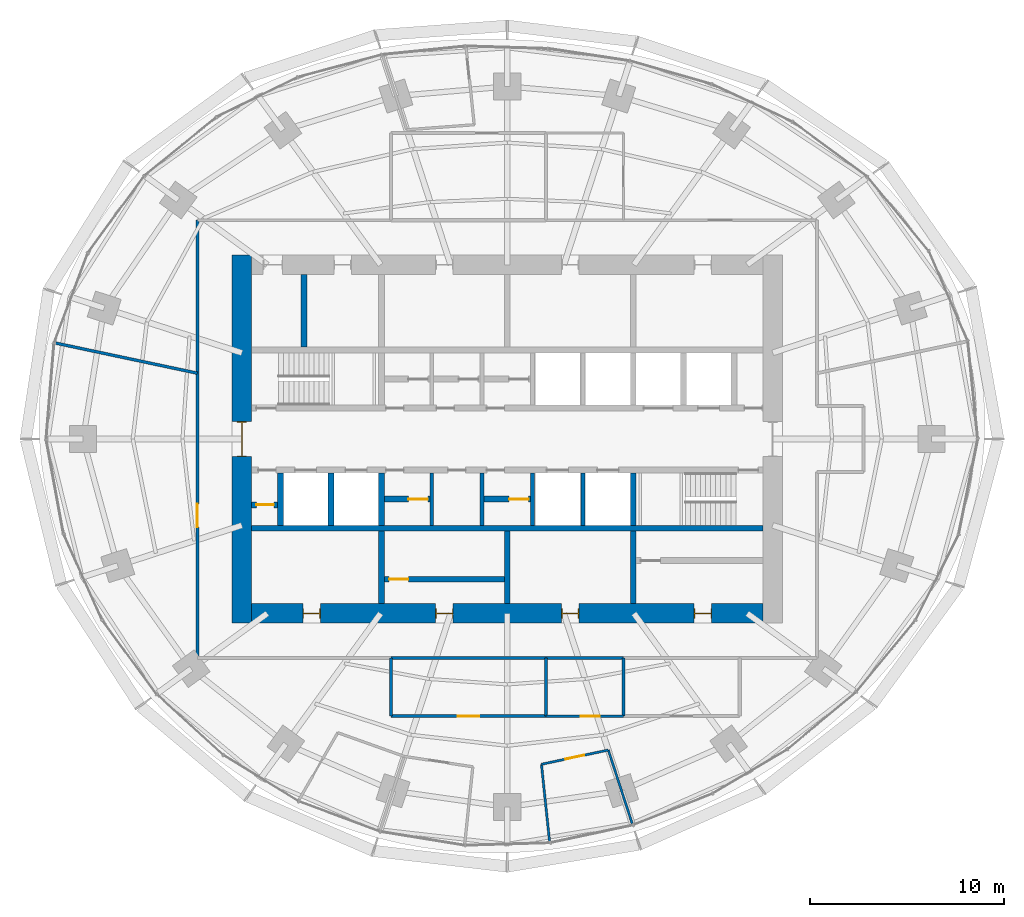
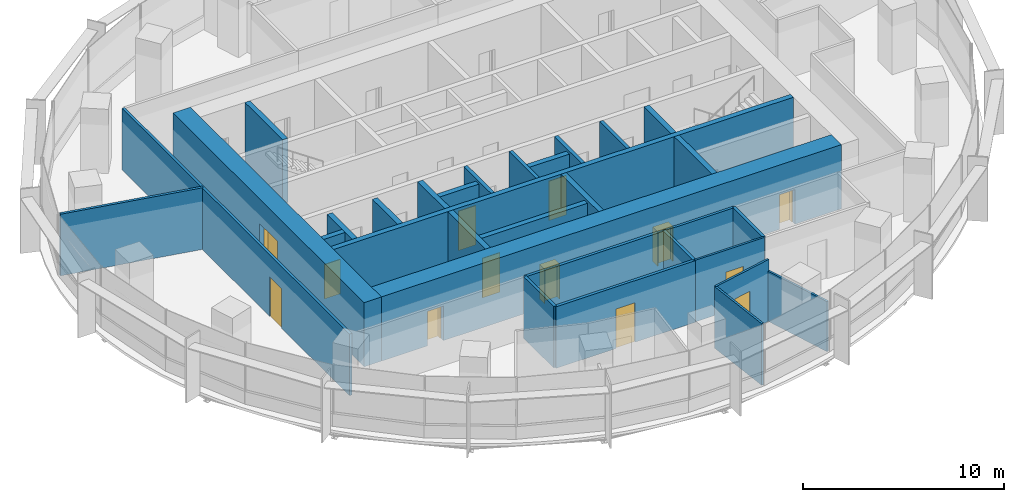
# One storey, part 10 of 15: 31 walls, 13 doors, 13 openings.
"""IFC4 building model written with IfcOpenShell, lengths in metres."""

from ifc_helpers import new_model, si_unit, direction, frame, frame_2d, origin, place, context, subcontext, project, spatial, rectangle, extrude, material, layer, layer_set, type_object, element, fill, save


model = new_model("IFC4")

# Units and contexts
model_context = context("Model", 3, precision=1e-05, world=origin(), true_north=direction((0.0, 1.0)))
body_context = subcontext(model_context, "Body", "Model", "MODEL_VIEW")
ifc_project = project(units=[si_unit("LENGTHUNIT", "METRE"), si_unit("AREAUNIT", "SQUARE_METRE"), si_unit("VOLUMEUNIT", "CUBIC_METRE"), si_unit("PLANEANGLEUNIT", "RADIAN"), si_unit("MASSUNIT", "GRAM", prefix="KILO")], contexts=[model_context])

# Site, building, storey
site_placement = place(None, origin())
site = spatial("IfcSite", under=ifc_project, at=site_placement, CompositionType="ELEMENT")
building_placement = place(site_placement, origin())
building = spatial("IfcBuilding", under=site, at=building_placement, Name="Marramba Exchange Tower", CompositionType="ELEMENT")
storey_placement = place(building_placement, frame((0.0, 0.0, 226.699951171875)))
storey = spatial("IfcBuildingStorey", under=building, at=storey_placement, Name="L55", CompositionType="ELEMENT", Elevation=226.699951171875)

# Walls
ifc_material_1 = material(Name="Plasterboard on staggered double steel studs, acoustic insulation", Category="steel")
ifc_layer_1 = layer(ifc_material_1, 0.169921875)
ifc_layer_set_1 = layer_set([ifc_layer_1], Name="Acoustic partition 170")
wall_type_1 = type_object("IfcWallType", Name="Acoustic partition 170", PredefinedType="PARTITIONING", material=ifc_layer_set_1)
wall_1_placement = place(storey_placement, frame((-6.0, -11.300048828125, 0.0), z_axis=(0.0, 0.0, 1.0), x_axis=(0.0, -1.0, 0.0)))
element("IfcWall", 1, at=wall_1_placement, inside=storey, type_object=wall_type_1, Name="Acoustic partition L55 03", PredefinedType="PARTITIONING", context=body_context, shape_type="SweptSolid", body=[
    extrude(rectangle(XDim=3.0, YDim=0.169921875, at=frame_2d((1.5, 0.0))), origin(), (0.0, 0.0, 1.0), 3.739990234375),
])
wall_2_placement = place(storey_placement, frame((2.0, -11.300048828125, 0.0), z_axis=(0.0, 0.0, 1.0), x_axis=(-1.0, 0.0, 0.0)))
element("IfcWall", 2, at=wall_2_placement, inside=storey, type_object=wall_type_1, Name="Acoustic partition L55 07", PredefinedType="PARTITIONING", context=body_context, shape_type="SweptSolid", body=[
    extrude(rectangle(XDim=8.0, YDim=0.169921875, at=frame_2d((4.0, 0.0))), origin(), (0.0, 0.0, 1.0), 3.739990234375),
])

# Wall, opening, door
wall_3_placement = place(storey_placement, frame((-6.0, -14.300048828125, 0.0), z_axis=(0.0, 0.0, 1.0), x_axis=(1.0, 0.0, 0.0)))
wall_3 = element("IfcWall", 3, at=wall_3_placement, inside=storey, type_object=wall_type_1, Name="Acoustic partition L55 08", PredefinedType="PARTITIONING", context=body_context, shape_type="SweptSolid", body=[
    extrude(rectangle(XDim=8.0, YDim=0.169921875, at=frame_2d((4.0, 0.0))), origin(), (0.0, 0.0, 1.0), 3.739990234375),
])
opening_1_placement = place(wall_3_placement, frame((3.449951171875, 0.0, 0.0)))
opening_1 = element("IfcOpeningElement", 4, at=opening_1_placement, cuts=wall_3, Name="Opening D15", PredefinedType="OPENING", context=body_context, shape_type="SweptSolid", body=[
    extrude(rectangle(XDim=1.10009765625, YDim=2.39990234375, at=frame_2d((0.550048828125, 1.199951171875))), frame((0.0, 0.094970703125, 0.0), z_axis=(0.0, -1.0, 0.0), x_axis=(1.0, 0.0, 0.0)), (0.0, 0.0, 1.0), 0.18994140625),
])
ifc_material_2 = material(Name="Timber door", Category="wood")
door_type_1 = type_object("IfcDoorType", Name="Glazed meeting room door 1100x2400", OperationType="SINGLE_SWING_LEFT", PredefinedType="DOOR", material=ifc_material_2)
door_1_placement = place(opening_1_placement, origin())
door_1 = element("IfcDoor", 5, at=door_1_placement, inside=storey, type_object=door_type_1, Name="D15 Meeting Room 2 L55", OperationType="SINGLE_SWING_RIGHT", OverallHeight=2.39990234375, OverallWidth=1.10009765625, PredefinedType="DOOR", context=body_context, shape_type="SweptSolid", body=[
    extrude(rectangle(XDim=1.10009765625, YDim=2.39990234375, at=frame_2d((0.550048828125, 1.199951171875))), frame((0.0, 0.02490234375, 0.0), z_axis=(0.0, -1.0, 0.0), x_axis=(1.0, 0.0, 0.0)), (0.0, 0.0, 1.0), 0.050048828125),
])
fill(opening_1, door_1)

# Walls
for number, where, z_axis, x_axis, name in (
    (6, (2.0, -11.300048828125, 0.0), (0.0, 0.0, 1.0), (0.0, -1.0, 0.0), "Acoustic partition L55 11"),
    (7, (6.0, -11.300048828125, 0.0), (0.0, 0.0, 1.0), (0.0, -1.0, 0.0), "Acoustic partition L55 16"),
):
    element("IfcWall", number, at=place(storey_placement, frame(where, z_axis=z_axis, x_axis=x_axis)), inside=storey, type_object=wall_type_1, Name=name, PredefinedType="PARTITIONING", context=body_context, shape_type="SweptSolid", body=[
        extrude(rectangle(XDim=3.0, YDim=0.169921875, at=frame_2d((1.5, 0.0))), origin(), (0.0, 0.0, 1.0), 3.739990234375),
    ])
ifc_material_3 = material(Name="Concrete N50", Category="concrete")
ifc_layer_2 = layer(ifc_material_3, 0.199951171875)
ifc_layer_set_2 = layer_set([ifc_layer_2], Name="Core shaft wall 200")
wall_type_2 = type_object("IfcWallType", Name="Core shaft wall 200", PredefinedType="SHEAR", material=ifc_layer_set_2)
for number, where, z_axis, x_axis, name in (
    (8, (-3.89990234375, -1.75, 0.0), (0.0, 0.0, 1.0), (0.0, -1.0, 0.0), "Core wall SHS1 L55"),
    (9, (-1.300048828125, -1.75, 0.0), (0.0, 0.0, 1.0), (0.0, -1.0, 0.0), "Core wall SHS2 L55"),
    (10, (1.300048828125, -1.75, 0.0), (0.0, 0.0, 1.0), (0.0, -1.0, 0.0), "Core wall SHS3 L55"),
    (11, (3.89990234375, -1.75, 0.0), (0.0, 0.0, 1.0), (0.0, -1.0, 0.0), "Core wall SHS4 L55"),
):
    element("IfcWall", number, at=place(storey_placement, frame(where, z_axis=z_axis, x_axis=x_axis)), inside=storey, type_object=wall_type_2, Name=name, PredefinedType="SHEAR", context=body_context, shape_type="SweptSolid", body=[
        extrude(rectangle(XDim=2.699951171875, YDim=0.199951171875, at=frame_2d((1.35009765625, 0.0))), origin(), (0.0, 0.0, 1.0), 3.900146484375),
    ])

# Wall, openings, doors
ifc_layer_3 = layer(ifc_material_3, 1.0)
ifc_layer_set_3 = layer_set([ifc_layer_3], Name="Core wall 1000")
wall_type_3 = type_object("IfcWallType", Name="Core wall 1000", PredefinedType="SHEAR", material=ifc_layer_set_3)
wall_4_placement = place(storey_placement, frame((-13.199951171875, -9.0, 0.0), z_axis=(0.0, 0.0, 1.0), x_axis=(1.0, 0.0, 0.0)))
wall_4 = element("IfcWall", 12, at=wall_4_placement, inside=storey, type_object=wall_type_3, Name="Core wall S L55", PredefinedType="SHEAR", context=body_context, shape_type="SweptSolid", body=[
    extrude(rectangle(XDim=26.39990234375, YDim=1.0, at=frame_2d((13.199951171875, 0.0))), origin(), (0.0, 0.0, 1.0), 3.900146484375),
])
opening_2_placement = place(wall_4_placement, frame((2.64990234375, 0.0, 0.0)))
opening_2 = element("IfcOpeningElement", 13, at=opening_2_placement, cuts=wall_4, Name="Opening D5", PredefinedType="OPENING", context=body_context, shape_type="SweptSolid", body=[
    extrude(rectangle(XDim=0.89990234375, YDim=2.10009765625, at=frame_2d((0.449951171875, 1.050048828125))), frame((0.0, 0.510009765625, 0.0), z_axis=(0.0, -1.0, 0.0), x_axis=(1.0, 0.0, 0.0)), (0.0, 0.0, 1.0), 1.02001953125),
])
opening_3_placement = place(wall_4_placement, frame((9.5, 0.0, 0.0)))
opening_3 = element("IfcOpeningElement", 14, at=opening_3_placement, cuts=wall_4, Name="Opening D5", PredefinedType="OPENING", context=body_context, shape_type="SweptSolid", body=[
    extrude(rectangle(XDim=0.89990234375, YDim=2.10009765625, at=frame_2d((0.449951171875, 1.050048828125))), frame((0.0, 0.510009765625, 0.0), z_axis=(0.0, -1.0, 0.0), x_axis=(1.0, 0.0, 0.0)), (0.0, 0.0, 1.0), 1.02001953125),
])
opening_4_placement = place(wall_4_placement, frame((16.0, 0.0, 0.0)))
opening_4 = element("IfcOpeningElement", 15, at=opening_4_placement, cuts=wall_4, Name="Opening D5", PredefinedType="OPENING", context=body_context, shape_type="SweptSolid", body=[
    extrude(rectangle(XDim=0.89990234375, YDim=2.10009765625, at=frame_2d((0.449951171875, 1.050048828125))), frame((0.0, 0.510009765625, 0.0), z_axis=(0.0, -1.0, 0.0), x_axis=(1.0, 0.0, 0.0)), (0.0, 0.0, 1.0), 1.02001953125),
])
opening_5_placement = place(wall_4_placement, frame((22.85009765625, 0.0, 0.0)))
opening_5 = element("IfcOpeningElement", 16, at=opening_5_placement, cuts=wall_4, Name="Opening D5", PredefinedType="OPENING", context=body_context, shape_type="SweptSolid", body=[
    extrude(rectangle(XDim=0.89990234375, YDim=2.10009765625, at=frame_2d((0.449951171875, 1.050048828125))), frame((0.0, 0.510009765625, 0.0), z_axis=(0.0, -1.0, 0.0), x_axis=(1.0, 0.0, 0.0)), (0.0, 0.0, 1.0), 1.02001953125),
])
ifc_material_4 = material(Name="Steel-framed door", Category="steel")
door_type_2 = type_object("IfcDoorType", Name="Service door 900x2100", OperationType="SINGLE_SWING_LEFT", PredefinedType="DOOR", material=ifc_material_4)
door_2_placement = place(opening_2_placement, origin())
door_2 = element("IfcDoor", 17, at=door_2_placement, inside=storey, type_object=door_type_2, Name="D5 ahu L55", OperationType="SINGLE_SWING_LEFT", OverallHeight=2.10009765625, OverallWidth=0.89990234375, PredefinedType="DOOR", context=body_context, shape_type="SweptSolid", body=[
    extrude(rectangle(XDim=0.81982421875, YDim=2.06005859375, at=frame_2d((0.449951171875, 1.030029296875))), frame((0.0, 0.02490234375, 0.0), z_axis=(0.0, -1.0, 0.0), x_axis=(1.0, 0.0, 0.0)), (0.0, 0.0, 1.0), 0.050048828125),
    extrude(rectangle(XDim=0.04, YDim=2.10009765625, at=frame_2d((0.02001953125, 1.050048828125))), frame((0.0, 0.25, 0.0), z_axis=(0.0, -1.0, 0.0), x_axis=(1.0, 0.0, 0.0)), (0.0, 0.0, 1.0), 0.5),
    extrude(rectangle(XDim=0.04, YDim=2.10009765625, at=frame_2d((0.8798828125, 1.050048828125))), frame((0.0, 0.25, 0.0), z_axis=(0.0, -1.0, 0.0), x_axis=(1.0, 0.0, 0.0)), (0.0, 0.0, 1.0), 0.5),
    extrude(rectangle(XDim=0.81982421875, YDim=0.04, at=frame_2d((0.449951171875, 2.080078125))), frame((0.0, 0.25, 0.0), z_axis=(0.0, -1.0, 0.0), x_axis=(1.0, 0.0, 0.0)), (0.0, 0.0, 1.0), 0.5),
])
fill(opening_2, door_2)
door_3_placement = place(opening_3_placement, origin())
door_3 = element("IfcDoor", 18, at=door_3_placement, inside=storey, type_object=door_type_2, Name="D5 store L55", OperationType="SINGLE_SWING_RIGHT", OverallHeight=2.10009765625, OverallWidth=0.89990234375, PredefinedType="DOOR", context=body_context, shape_type="SweptSolid", body=[
    extrude(rectangle(XDim=0.81982421875, YDim=2.06005859375, at=frame_2d((0.449951171875, 1.030029296875))), frame((0.0, 0.02490234375, 0.0), z_axis=(0.0, -1.0, 0.0), x_axis=(1.0, 0.0, 0.0)), (0.0, 0.0, 1.0), 0.050048828125),
    extrude(rectangle(XDim=0.04, YDim=2.10009765625, at=frame_2d((0.02001953125, 1.050048828125))), frame((0.0, 0.25, 0.0), z_axis=(0.0, -1.0, 0.0), x_axis=(1.0, 0.0, 0.0)), (0.0, 0.0, 1.0), 0.5),
    extrude(rectangle(XDim=0.04, YDim=2.10009765625, at=frame_2d((0.8798828125, 1.050048828125))), frame((0.0, 0.25, 0.0), z_axis=(0.0, -1.0, 0.0), x_axis=(1.0, 0.0, 0.0)), (0.0, 0.0, 1.0), 0.5),
    extrude(rectangle(XDim=0.81982421875, YDim=0.04, at=frame_2d((0.449951171875, 2.080078125))), frame((0.0, 0.25, 0.0), z_axis=(0.0, -1.0, 0.0), x_axis=(1.0, 0.0, 0.0)), (0.0, 0.0, 1.0), 0.5),
])
fill(opening_3, door_3)
door_4_placement = place(opening_4_placement, origin())
door_4 = element("IfcDoor", 19, at=door_4_placement, inside=storey, type_object=door_type_2, Name="D5 switch L55", OperationType="SINGLE_SWING_RIGHT", OverallHeight=2.10009765625, OverallWidth=0.89990234375, PredefinedType="DOOR", context=body_context, shape_type="SweptSolid", body=[
    extrude(rectangle(XDim=0.81982421875, YDim=2.06005859375, at=frame_2d((0.449951171875, 1.030029296875))), frame((0.0, 0.02490234375, 0.0), z_axis=(0.0, -1.0, 0.0), x_axis=(1.0, 0.0, 0.0)), (0.0, 0.0, 1.0), 0.050048828125),
    extrude(rectangle(XDim=0.04, YDim=2.10009765625, at=frame_2d((0.02001953125, 1.050048828125))), frame((0.0, 0.25, 0.0), z_axis=(0.0, -1.0, 0.0), x_axis=(1.0, 0.0, 0.0)), (0.0, 0.0, 1.0), 0.5),
    extrude(rectangle(XDim=0.04, YDim=2.10009765625, at=frame_2d((0.8798828125, 1.050048828125))), frame((0.0, 0.25, 0.0), z_axis=(0.0, -1.0, 0.0), x_axis=(1.0, 0.0, 0.0)), (0.0, 0.0, 1.0), 0.5),
    extrude(rectangle(XDim=0.81982421875, YDim=0.04, at=frame_2d((0.449951171875, 2.080078125))), frame((0.0, 0.25, 0.0), z_axis=(0.0, -1.0, 0.0), x_axis=(1.0, 0.0, 0.0)), (0.0, 0.0, 1.0), 0.5),
])
fill(opening_4, door_4)
door_5_placement = place(opening_5_placement, origin())
door_5 = element("IfcDoor", 20, at=door_5_placement, inside=storey, type_object=door_type_2, Name="D5 cstore L55", OperationType="SINGLE_SWING_RIGHT", OverallHeight=2.10009765625, OverallWidth=0.89990234375, PredefinedType="DOOR", context=body_context, shape_type="SweptSolid", body=[
    extrude(rectangle(XDim=0.81982421875, YDim=2.06005859375, at=frame_2d((0.449951171875, 1.030029296875))), frame((0.0, 0.02490234375, 0.0), z_axis=(0.0, -1.0, 0.0), x_axis=(1.0, 0.0, 0.0)), (0.0, 0.0, 1.0), 0.050048828125),
    extrude(rectangle(XDim=0.04, YDim=2.10009765625, at=frame_2d((0.02001953125, 1.050048828125))), frame((0.0, 0.25, 0.0), z_axis=(0.0, -1.0, 0.0), x_axis=(1.0, 0.0, 0.0)), (0.0, 0.0, 1.0), 0.5),
    extrude(rectangle(XDim=0.04, YDim=2.10009765625, at=frame_2d((0.8798828125, 1.050048828125))), frame((0.0, 0.25, 0.0), z_axis=(0.0, -1.0, 0.0), x_axis=(1.0, 0.0, 0.0)), (0.0, 0.0, 1.0), 0.5),
    extrude(rectangle(XDim=0.81982421875, YDim=0.04, at=frame_2d((0.449951171875, 2.080078125))), frame((0.0, 0.25, 0.0), z_axis=(0.0, -1.0, 0.0), x_axis=(1.0, 0.0, 0.0)), (0.0, 0.0, 1.0), 0.5),
])
fill(opening_5, door_5)

# Wall, opening, door
wall_5_placement = place(storey_placement, frame((-13.699951171875, 9.5, 0.0), z_axis=(0.0, 0.0, 1.0), x_axis=(0.0, -1.0, 0.0)))
wall_5 = element("IfcWall", 21, at=wall_5_placement, inside=storey, type_object=wall_type_3, Name="Core wall W L55", PredefinedType="SHEAR", context=body_context, shape_type="SweptSolid", body=[
    extrude(rectangle(XDim=19.0, YDim=1.0, at=frame_2d((9.5, 0.0))), origin(), (0.0, 0.0, 1.0), 3.900146484375),
])
opening_6_placement = place(wall_5_placement, frame((8.60009765625, 0.0, 0.0)))
opening_6 = element("IfcOpeningElement", 22, at=opening_6_placement, cuts=wall_5, Name="Opening D1", PredefinedType="OPENING", context=body_context, shape_type="SweptSolid", body=[
    extrude(rectangle(XDim=1.800048828125, YDim=2.39990234375, at=frame_2d((0.89990234375, 1.199951171875))), frame((0.0, 0.510009765625, 0.0), z_axis=(0.0, -1.0, 0.0), x_axis=(1.0, 0.0, 0.0)), (0.0, 0.0, 1.0), 1.02001953125),
])
door_type_3 = type_object("IfcDoorType", Name="Lobby exit door 1800x2400", OperationType="DOUBLE_DOOR_SINGLE_SWING", PredefinedType="DOOR", material=ifc_material_4)
door_6_placement = place(opening_6_placement, origin())
door_6 = element("IfcDoor", 23, at=door_6_placement, inside=storey, type_object=door_type_3, Name="D1 lobby exit west L55", OperationType="DOUBLE_DOOR_SINGLE_SWING", OverallHeight=2.39990234375, OverallWidth=1.800048828125, PredefinedType="DOOR", context=body_context, shape_type="SweptSolid", body=[
    extrude(rectangle(XDim=1.719970703125, YDim=2.35986328125, at=frame_2d((0.89990234375, 1.179931640625))), frame((0.0, 0.02490234375, 0.0), z_axis=(0.0, -1.0, 0.0), x_axis=(1.0, 0.0, 0.0)), (0.0, 0.0, 1.0), 0.050048828125),
    extrude(rectangle(XDim=0.04, YDim=2.39990234375, at=frame_2d((0.02001953125, 1.199951171875))), frame((0.0, 0.25, 0.0), z_axis=(0.0, -1.0, 0.0), x_axis=(1.0, 0.0, 0.0)), (0.0, 0.0, 1.0), 0.5),
    extrude(rectangle(XDim=0.04, YDim=2.39990234375, at=frame_2d((1.780029296875, 1.199951171875))), frame((0.0, 0.25, 0.0), z_axis=(0.0, -1.0, 0.0), x_axis=(1.0, 0.0, 0.0)), (0.0, 0.0, 1.0), 0.5),
    extrude(rectangle(XDim=1.719970703125, YDim=0.04, at=frame_2d((0.89990234375, 2.3798828125))), frame((0.0, 0.25, 0.0), z_axis=(0.0, -1.0, 0.0), x_axis=(1.0, 0.0, 0.0)), (0.0, 0.0, 1.0), 0.5),
])
fill(opening_6, door_6)

# Walls
ifc_layer_4 = layer(ifc_material_3, 0.300048828125)
ifc_layer_set_4 = layer_set([ifc_layer_4], Name="Core wall 300")
wall_type_4 = type_object("IfcWallType", Name="Core wall 300", PredefinedType="SHEAR", material=ifc_layer_set_4)
wall_6_placement = place(storey_placement, frame((-13.199951171875, -4.60009765625, 0.0), z_axis=(0.0, 0.0, 1.0), x_axis=(1.0, 0.0, 0.0)))
element("IfcWall", 24, at=wall_6_placement, inside=storey, type_object=wall_type_4, Name="Core wall BS L55", PredefinedType="SHEAR", context=body_context, shape_type="SweptSolid", body=[
    extrude(rectangle(XDim=26.39990234375, YDim=0.300048828125, at=frame_2d((13.199951171875, 0.0))), origin(), (0.0, 0.0, 1.0), 3.900146484375),
])
wall_7_placement = place(storey_placement, frame((-6.5, -1.75, 0.0), z_axis=(0.0, 0.0, 1.0), x_axis=(0.0, -1.0, 0.0)))
element("IfcWall", 25, at=wall_7_placement, inside=storey, type_object=wall_type_4, Name="Core wall X0Sa L55", PredefinedType="SHEAR", context=body_context, shape_type="SweptSolid", body=[
    extrude(rectangle(XDim=2.699951171875, YDim=0.300048828125, at=frame_2d((1.35009765625, 0.0))), origin(), (0.0, 0.0, 1.0), 3.900146484375),
])
wall_8_placement = place(storey_placement, frame((-6.5, -4.75, 0.0), z_axis=(0.0, 0.0, 1.0), x_axis=(0.0, -1.0, 0.0)))
element("IfcWall", 26, at=wall_8_placement, inside=storey, type_object=wall_type_4, Name="Core wall X0Sb L55", PredefinedType="SHEAR", context=body_context, shape_type="SweptSolid", body=[
    extrude(rectangle(XDim=3.75, YDim=0.300048828125, at=frame_2d((1.875, 0.0))), origin(), (0.0, 0.0, 1.0), 3.900146484375),
])
wall_9_placement = place(storey_placement, frame((6.5, -1.75, 0.0), z_axis=(0.0, 0.0, 1.0), x_axis=(0.0, -1.0, 0.0)))
element("IfcWall", 27, at=wall_9_placement, inside=storey, type_object=wall_type_4, Name="Core wall X1Sa L55", PredefinedType="SHEAR", context=body_context, shape_type="SweptSolid", body=[
    extrude(rectangle(XDim=2.699951171875, YDim=0.300048828125, at=frame_2d((1.35009765625, 0.0))), origin(), (0.0, 0.0, 1.0), 3.900146484375),
])
for number, where, z_axis, x_axis, name in (
    (28, (6.5, -4.75, 0.0), (0.0, 0.0, 1.0), (0.0, -1.0, 0.0), "Core wall X1Sb L55"),
    (29, (0.0, -4.75, 0.0), (0.0, 0.0, 1.0), (0.0, -1.0, 0.0), "Core wall MS L55"),
    (30, (-10.5, 4.75, 0.0), (0.0, 0.0, 1.0), (0.0, 1.0, 0.0), "Core wall WD L55"),
):
    element("IfcWall", number, at=place(storey_placement, frame(where, z_axis=z_axis, x_axis=x_axis)), inside=storey, type_object=wall_type_4, Name=name, PredefinedType="SHEAR", context=body_context, shape_type="SweptSolid", body=[
        extrude(rectangle(XDim=3.75, YDim=0.300048828125, at=frame_2d((1.875, 0.0))), origin(), (0.0, 0.0, 1.0), 3.900146484375),
    ])
ifc_material_5 = material(Name="Core-filled concrete blockwork", Category="masonry")
ifc_layer_5 = layer(ifc_material_5, 0.300048828125)
ifc_layer_set_5 = layer_set([ifc_layer_5], Name="Lift shaft wall 300")
wall_type_5 = type_object("IfcWallType", Name="Lift shaft wall 300", PredefinedType="SOLIDWALL", material=ifc_layer_set_5)
for number, where, z_axis, x_axis, name in (
    (31, (-9.10009765625, -1.75, 0.0), (0.0, 0.0, 1.0), (0.0, -1.0, 0.0), "Lift shaft wall W1 L55"),
    (32, (-11.699951171875, -1.75, 0.0), (0.0, 0.0, 1.0), (0.0, -1.0, 0.0), "Lift shaft wall W2 L55"),
):
    element("IfcWall", number, at=place(storey_placement, frame(where, z_axis=z_axis, x_axis=x_axis)), inside=storey, type_object=wall_type_5, Name=name, PredefinedType="SOLIDWALL", context=body_context, shape_type="SweptSolid", body=[
        extrude(rectangle(XDim=2.699951171875, YDim=0.300048828125, at=frame_2d((1.35009765625, 0.0))), origin(), (0.0, 0.0, 1.0), 3.739990234375),
    ])
ifc_material_6 = material(Name="Plasterboard on steel studs", Category="steel")
ifc_layer_6 = layer(ifc_material_6, 0.1201171875)
ifc_layer_set_6 = layer_set([ifc_layer_6], Name="Partition 120")
wall_type_6 = type_object("IfcWallType", Name="Partition 120", PredefinedType="PARTITIONING", material=ifc_layer_set_6)
wall_10_placement = place(storey_placement, frame((1.7646484375, -16.788818359375, 0.0), z_axis=(0.0, 0.0, 1.0), x_axis=(0.104494148666, -0.99452550138, 0.0)))
element("IfcWall", 33, at=wall_10_placement, inside=storey, type_object=wall_type_6, Name="Partition L55 10", PredefinedType="PARTITIONING", context=body_context, shape_type="SweptSolid", body=[
    extrude(rectangle(XDim=4.0, YDim=0.1201171875, at=frame_2d((2.0, 0.0))), origin(), (0.0, 0.0, 1.0), 3.739990234375),
])

# Wall, opening, door
wall_11_placement = place(storey_placement, frame((5.216064453125, -16.05322265625, 0.0), z_axis=(0.0, 0.0, 1.0), x_axis=(-0.978033661385, -0.208447012927, 0.0)))
wall_11 = element("IfcWall", 34, at=wall_11_placement, inside=storey, type_object=wall_type_6, Name="Partition L55 12", PredefinedType="PARTITIONING", context=body_context, shape_type="SweptSolid", body=[
    extrude(rectangle(XDim=3.529052734375, YDim=0.1201171875, at=frame_2d((1.7646484375, 0.0))), origin(), (0.0, 0.0, 1.0), 3.739990234375),
])
opening_7_placement = place(wall_11_placement, frame((1.263916015625, 0.0, 0.0)))
opening_7 = element("IfcOpeningElement", 35, at=opening_7_placement, cuts=wall_11, Name="Opening D9", PredefinedType="OPENING", context=body_context, shape_type="SweptSolid", body=[
    extrude(rectangle(XDim=1.0, YDim=2.39990234375, at=frame_2d((0.5, 1.199951171875))), frame((0.0, 0.070068359375, 0.0), z_axis=(0.0, -1.0, 0.0), x_axis=(1.0, 0.0, 0.0)), (0.0, 0.0, 1.0), 0.14013671875),
])
door_type_4 = type_object("IfcDoorType", Name="Room door 1000x2400", OperationType="SINGLE_SWING_LEFT", PredefinedType="DOOR", material=ifc_material_2)
door_7_placement = place(opening_7_placement, origin())
door_7 = element("IfcDoor", 36, at=door_7_placement, inside=storey, type_object=door_type_4, Name="D9 Office 3 L55", OperationType="SINGLE_SWING_RIGHT", OverallHeight=2.39990234375, OverallWidth=1.0, PredefinedType="DOOR", context=body_context, shape_type="SweptSolid", body=[
    extrude(rectangle(XDim=1.0, YDim=2.39990234375, at=frame_2d((0.5, 1.199951171875))), frame((0.0, 0.02490234375, 0.0), z_axis=(0.0, -1.0, 0.0), x_axis=(1.0, 0.0, 0.0)), (0.0, 0.0, 1.0), 0.050048828125),
])
fill(opening_7, door_7)

wall_12_placement = place(storey_placement, frame((2.0, -14.300048828125, 0.0), z_axis=(0.0, 0.0, 1.0), x_axis=(1.0, 0.0, 0.0)))
wall_12 = element("IfcWall", 37, at=wall_12_placement, inside=storey, type_object=wall_type_6, Name="Partition L55 13", PredefinedType="PARTITIONING", context=body_context, shape_type="SweptSolid", body=[
    extrude(rectangle(XDim=4.0, YDim=0.1201171875, at=frame_2d((2.0, 0.0))), origin(), (0.0, 0.0, 1.0), 3.739990234375),
])
opening_8_placement = place(wall_12_placement, frame((1.781005859375, 0.0, 0.0)))
opening_8 = element("IfcOpeningElement", 38, at=opening_8_placement, cuts=wall_12, Name="Opening D9", PredefinedType="OPENING", context=body_context, shape_type="SweptSolid", body=[
    extrude(rectangle(XDim=1.0, YDim=2.39990234375, at=frame_2d((0.5, 1.199951171875))), frame((0.0, 0.070068359375, 0.0), z_axis=(0.0, -1.0, 0.0), x_axis=(1.0, 0.0, 0.0)), (0.0, 0.0, 1.0), 0.14013671875),
])
door_8_placement = place(opening_8_placement, origin())
door_8 = element("IfcDoor", 39, at=door_8_placement, inside=storey, type_object=door_type_4, Name="D9 Pantry 2 L55", OperationType="SINGLE_SWING_RIGHT", OverallHeight=2.39990234375, OverallWidth=1.0, PredefinedType="DOOR", context=body_context, shape_type="SweptSolid", body=[
    extrude(rectangle(XDim=1.0, YDim=2.39990234375, at=frame_2d((0.5, 1.199951171875))), frame((0.0, 0.02490234375, 0.0), z_axis=(0.0, -1.0, 0.0), x_axis=(1.0, 0.0, 0.0)), (0.0, 0.0, 1.0), 0.050048828125),
])
fill(opening_8, door_8)

# Wall
wall_13_placement = place(storey_placement, frame((6.4521484375, -19.857421875, 0.0), z_axis=(0.0, 0.0, 1.0), x_axis=(-0.309022586479, 0.951054699292, 0.0)))
element("IfcWall", 40, at=wall_13_placement, inside=storey, type_object=wall_type_6, Name="Partition L55 14", PredefinedType="PARTITIONING", context=body_context, shape_type="SweptSolid", body=[
    extrude(rectangle(XDim=4.0, YDim=0.1201171875, at=frame_2d((2.0, 0.0))), origin(), (0.0, 0.0, 1.0), 3.0400390625),
])

# Wall, opening, door
ifc_layer_7 = layer(ifc_material_5, 0.300048828125)
ifc_layer_set_7 = layer_set([ifc_layer_7], Name="Riser enclosure wall 300")
wall_type_7 = type_object("IfcWallType", Name="Riser enclosure wall 300", PredefinedType="SOLIDWALL", material=ifc_layer_set_7)
wall_14_placement = place(storey_placement, frame((-13.199951171875, -3.39990234375, 0.0), z_axis=(0.0, 0.0, 1.0), x_axis=(1.0, 0.0, 0.0)))
wall_14 = element("IfcWall", 41, at=wall_14_placement, inside=storey, type_object=wall_type_7, Name="Riser enclosure wall L55", PredefinedType="SOLIDWALL", context=body_context, shape_type="SweptSolid", body=[
    extrude(rectangle(XDim=1.349853515625, YDim=0.300048828125, at=frame_2d((0.6748046875, 0.0))), origin(), (0.0, 0.0, 1.0), 3.739990234375),
])
opening_9_placement = place(wall_14_placement, frame((0.25, 0.0, 0.0)))
opening_9 = element("IfcOpeningElement", 42, at=opening_9_placement, cuts=wall_14, Name="Opening D5", PredefinedType="OPENING", context=body_context, shape_type="SweptSolid", body=[
    extrude(rectangle(XDim=0.89990234375, YDim=2.10009765625, at=frame_2d((0.449951171875, 1.050048828125))), frame((0.0, 0.159912109375, 0.0), z_axis=(0.0, -1.0, 0.0), x_axis=(1.0, 0.0, 0.0)), (0.0, 0.0, 1.0), 0.320068359375),
])
door_9_placement = place(opening_9_placement, frame((0.89990234375, 0.0, 0.0), z_axis=(0.0, 0.0, 1.0), x_axis=(-1.0, 0.0, 0.0)))
door_9 = element("IfcDoor", 43, at=door_9_placement, inside=storey, type_object=door_type_2, Name="D5 electrical riser back L55", OperationType="SINGLE_SWING_LEFT", OverallHeight=2.10009765625, OverallWidth=0.89990234375, PredefinedType="DOOR", context=body_context, shape_type="SweptSolid", body=[
    extrude(rectangle(XDim=0.89990234375, YDim=2.10009765625, at=frame_2d((0.449951171875, 1.050048828125))), frame((0.0, 0.025146484375, 0.0), z_axis=(0.0, -1.0, 0.0), x_axis=(1.0, 0.0, 0.0)), (0.0, 0.0, 1.0), 0.050048828125),
])
fill(opening_9, door_9)

ifc_material_7 = material(Name="Plasterboard on steel studs, insulated, unrated", Category="steel")
ifc_layer_8 = layer(ifc_material_7, 0.300048828125)
ifc_layer_set_8 = layer_set([ifc_layer_8], Name="Store partition 300")
wall_type_8 = type_object("IfcWallType", Name="Store partition 300", PredefinedType="PARTITIONING", material=ifc_layer_set_8)
wall_15_placement = place(storey_placement, frame((-6.35009765625, -3.10009765625, 0.0), z_axis=(0.0, 0.0, 1.0), x_axis=(1.0, 0.0, 0.0)))
wall_15 = element("IfcWall", 44, at=wall_15_placement, inside=storey, type_object=wall_type_8, Name="Store partition L55 S1", PredefinedType="PARTITIONING", context=body_context, shape_type="SweptSolid", body=[
    extrude(rectangle(XDim=2.35009765625, YDim=0.300048828125, at=frame_2d((1.175048828125, 0.0))), origin(), (0.0, 0.0, 1.0), 3.739990234375),
])
opening_10_placement = place(wall_15_placement, frame((1.25, 0.0, 0.0)))
opening_10 = element("IfcOpeningElement", 45, at=opening_10_placement, cuts=wall_15, Name="Opening D9", PredefinedType="OPENING", context=body_context, shape_type="SweptSolid", body=[
    extrude(rectangle(XDim=1.0, YDim=2.39990234375, at=frame_2d((0.5, 1.199951171875))), frame((0.0, 0.159912109375, 0.0), z_axis=(0.0, -1.0, 0.0), x_axis=(1.0, 0.0, 0.0)), (0.0, 0.0, 1.0), 0.320068359375),
])
door_10_placement = place(opening_10_placement, origin())
door_10 = element("IfcDoor", 46, at=door_10_placement, inside=storey, type_object=door_type_4, Name="D9 store room S1 L55", OperationType="SINGLE_SWING_RIGHT", OverallHeight=2.39990234375, OverallWidth=1.0, PredefinedType="DOOR", context=body_context, shape_type="SweptSolid", body=[
    extrude(rectangle(XDim=1.0, YDim=2.39990234375, at=frame_2d((0.5, 1.199951171875))), frame((0.0, 0.02490234375, 0.0), z_axis=(0.0, -1.0, 0.0), x_axis=(1.0, 0.0, 0.0)), (0.0, 0.0, 1.0), 0.050048828125),
])
fill(opening_10, door_10)

wall_16_placement = place(storey_placement, frame((-1.199951171875, -3.10009765625, 0.0), z_axis=(0.0, 0.0, 1.0), x_axis=(1.0, 0.0, 0.0)))
wall_16 = element("IfcWall", 47, at=wall_16_placement, inside=storey, type_object=wall_type_8, Name="Store partition L55 S3", PredefinedType="PARTITIONING", context=body_context, shape_type="SweptSolid", body=[
    extrude(rectangle(XDim=2.39990234375, YDim=0.300048828125, at=frame_2d((1.199951171875, 0.0))), origin(), (0.0, 0.0, 1.0), 3.739990234375),
])
opening_11_placement = place(wall_16_placement, frame((1.300048828125, 0.0, 0.0)))
opening_11 = element("IfcOpeningElement", 48, at=opening_11_placement, cuts=wall_16, Name="Opening D9", PredefinedType="OPENING", context=body_context, shape_type="SweptSolid", body=[
    extrude(rectangle(XDim=1.0, YDim=2.39990234375, at=frame_2d((0.5, 1.199951171875))), frame((0.0, 0.159912109375, 0.0), z_axis=(0.0, -1.0, 0.0), x_axis=(1.0, 0.0, 0.0)), (0.0, 0.0, 1.0), 0.320068359375),
])
door_11_placement = place(opening_11_placement, origin())
door_11 = element("IfcDoor", 49, at=door_11_placement, inside=storey, type_object=door_type_4, Name="D9 store room S3 L55", OperationType="SINGLE_SWING_RIGHT", OverallHeight=2.39990234375, OverallWidth=1.0, PredefinedType="DOOR", context=body_context, shape_type="SweptSolid", body=[
    extrude(rectangle(XDim=1.0, YDim=2.39990234375, at=frame_2d((0.5, 1.199951171875))), frame((0.0, 0.02490234375, 0.0), z_axis=(0.0, -1.0, 0.0), x_axis=(1.0, 0.0, 0.0)), (0.0, 0.0, 1.0), 0.050048828125),
])
fill(opening_11, door_11)

wall_17_placement = place(storey_placement, frame((-6.35009765625, -7.239990234375, 0.0), z_axis=(0.0, 0.0, 1.0), x_axis=(1.0, 0.0, 0.0)))
wall_17 = element("IfcWall", 50, at=wall_17_placement, inside=storey, type_object=wall_type_8, Name="Store partition L55 store", PredefinedType="PARTITIONING", context=body_context, shape_type="SweptSolid", body=[
    extrude(rectangle(XDim=6.2001953125, YDim=0.300048828125, at=frame_2d((3.10009765625, 0.0))), origin(), (0.0, 0.0, 1.0), 3.739990234375),
])
opening_12_placement = place(wall_17_placement, frame((0.25, 0.0, 0.0)))
opening_12 = element("IfcOpeningElement", 51, at=opening_12_placement, cuts=wall_17, Name="Opening D9", PredefinedType="OPENING", context=body_context, shape_type="SweptSolid", body=[
    extrude(rectangle(XDim=1.0, YDim=2.39990234375, at=frame_2d((0.5, 1.199951171875))), frame((0.0, 0.159912109375, 0.0), z_axis=(0.0, -1.0, 0.0), x_axis=(1.0, 0.0, 0.0)), (0.0, 0.0, 1.0), 0.320068359375),
])
door_12_placement = place(opening_12_placement, frame((1.0, 0.0, 0.0), z_axis=(0.0, 0.0, 1.0), x_axis=(-1.0, 0.0, 0.0)))
door_12 = element("IfcDoor", 52, at=door_12_placement, inside=storey, type_object=door_type_4, Name="D9 stationery store L55", OperationType="SINGLE_SWING_RIGHT", OverallHeight=2.39990234375, OverallWidth=1.0, PredefinedType="DOOR", context=body_context, shape_type="SweptSolid", body=[
    extrude(rectangle(XDim=1.0, YDim=2.39990234375, at=frame_2d((0.5, 1.199951171875))), frame((0.0, 0.025146484375, 0.0), z_axis=(0.0, -1.0, 0.0), x_axis=(1.0, 0.0, 0.0)), (0.0, 0.0, 1.0), 0.050048828125),
])
fill(opening_12, door_12)

# Walls
ifc_material_8 = material(Name="Fire-rated plasterboard on steel studs, acoustic insulation", Category="steel")
ifc_layer_9 = layer(ifc_material_8, 0.14990234375)
ifc_layer_set_9 = layer_set([ifc_layer_9], Name="Tenancy wall 150")
wall_type_9 = type_object("IfcWallType", Name="Tenancy wall 150", PredefinedType="PARTITIONING", material=ifc_layer_set_9)
wall_18_placement = place(storey_placement, frame((6.0, -11.300048828125, 0.0), z_axis=(0.0, 0.0, 1.0), x_axis=(-1.0, 0.0, 0.0)))
element("IfcWall", 53, at=wall_18_placement, inside=storey, type_object=wall_type_9, Name="Tenancy wall L55 15", PredefinedType="PARTITIONING", context=body_context, shape_type="SweptSolid", body=[
    extrude(rectangle(XDim=4.0, YDim=0.14990234375, at=frame_2d((2.0, 0.0))), origin(), (0.0, 0.0, 1.0), 3.739990234375),
])
wall_19_placement = place(storey_placement, frame((-16.0, 3.40087890625, 0.0), z_axis=(0.0, 0.0, 1.0), x_axis=(-0.978144499125, 0.207926282204, 0.0)))
element("IfcWall", 54, at=wall_19_placement, inside=storey, type_object=wall_type_9, Name="Tenancy wall L55 38", PredefinedType="PARTITIONING", context=body_context, shape_type="SweptSolid", body=[
    extrude(rectangle(XDim=7.480712890625, YDim=0.14990234375, at=frame_2d((3.740234375, 0.0))), origin(), (0.0, 0.0, 1.0), 3.739990234375),
])

# Wall, opening, door
wall_20_placement = place(storey_placement, frame((-16.0, 11.300048828125, 0.0), z_axis=(0.0, 0.0, 1.0), x_axis=(0.0, -1.0, 0.0)))
wall_20 = element("IfcWall", 55, at=wall_20_placement, inside=storey, type_object=wall_type_9, Name="Tenancy wall L55 39", PredefinedType="PARTITIONING", context=body_context, shape_type="SweptSolid", body=[
    extrude(rectangle(XDim=22.60009765625, YDim=0.14990234375, at=frame_2d((11.300048828125, 0.0))), origin(), (0.0, 0.0, 1.0), 3.739990234375),
])
opening_13_placement = place(wall_20_placement, frame((14.64990234375, 0.0, 0.0)))
opening_13 = element("IfcOpeningElement", 56, at=opening_13_placement, cuts=wall_20, Name="Opening D13", PredefinedType="OPENING", context=body_context, shape_type="SweptSolid", body=[
    extrude(rectangle(XDim=1.199951171875, YDim=2.39990234375, at=frame_2d((0.60009765625, 1.199951171875))), frame((0.0, 0.0849609375, 0.0), z_axis=(0.0, -1.0, 0.0), x_axis=(1.0, 0.0, 0.0)), (0.0, 0.0, 1.0), 0.169921875),
])
door_type_5 = type_object("IfcDoorType", Name="Tenancy entry door 1200x2400", OperationType="SINGLE_SWING_LEFT", PredefinedType="DOOR", material=ifc_material_4)
door_13_placement = place(opening_13_placement, origin())
door_13 = element("IfcDoor", 57, at=door_13_placement, inside=storey, type_object=door_type_5, Name="D13 Office 2 L55", OperationType="SINGLE_SWING_RIGHT", OverallHeight=2.39990234375, OverallWidth=1.199951171875, PredefinedType="DOOR", context=body_context, shape_type="SweptSolid", body=[
    extrude(rectangle(XDim=1.199951171875, YDim=2.39990234375, at=frame_2d((0.60009765625, 1.199951171875))), frame((0.0, 0.02490234375, 0.0), z_axis=(0.0, -1.0, 0.0), x_axis=(1.0, 0.0, 0.0)), (0.0, 0.0, 1.0), 0.050048828125),
])
fill(opening_13, door_13)

save(model, "model.ifc")
